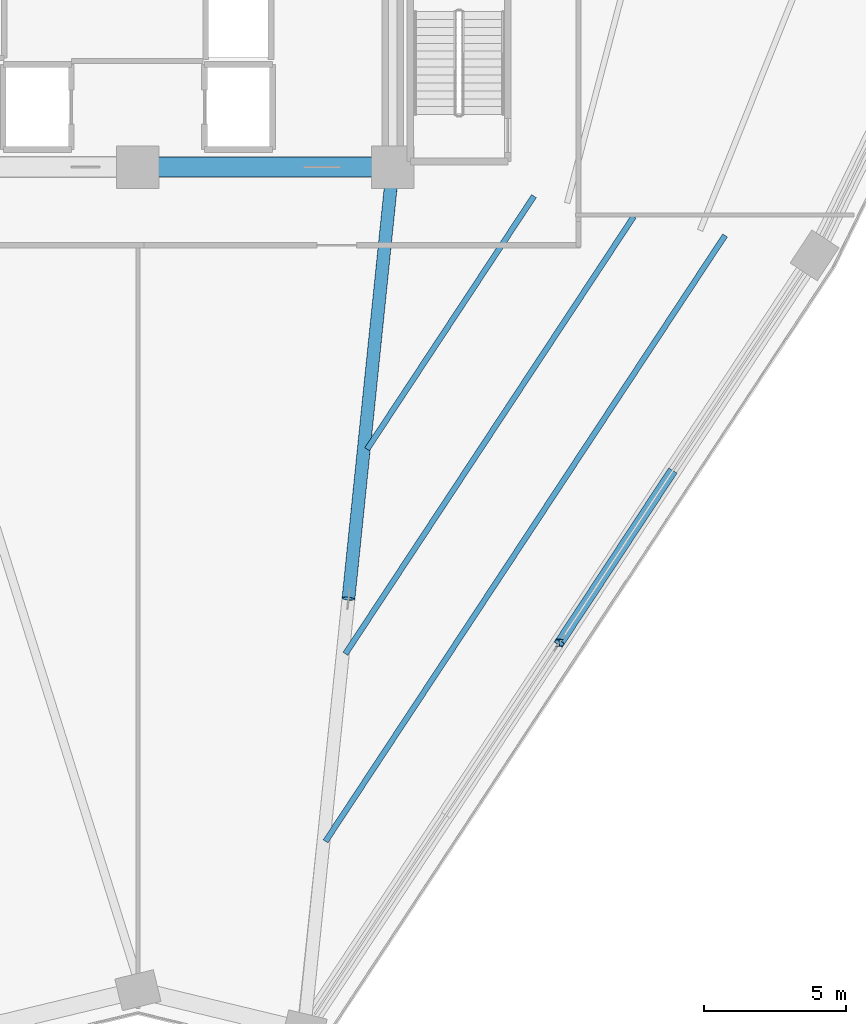
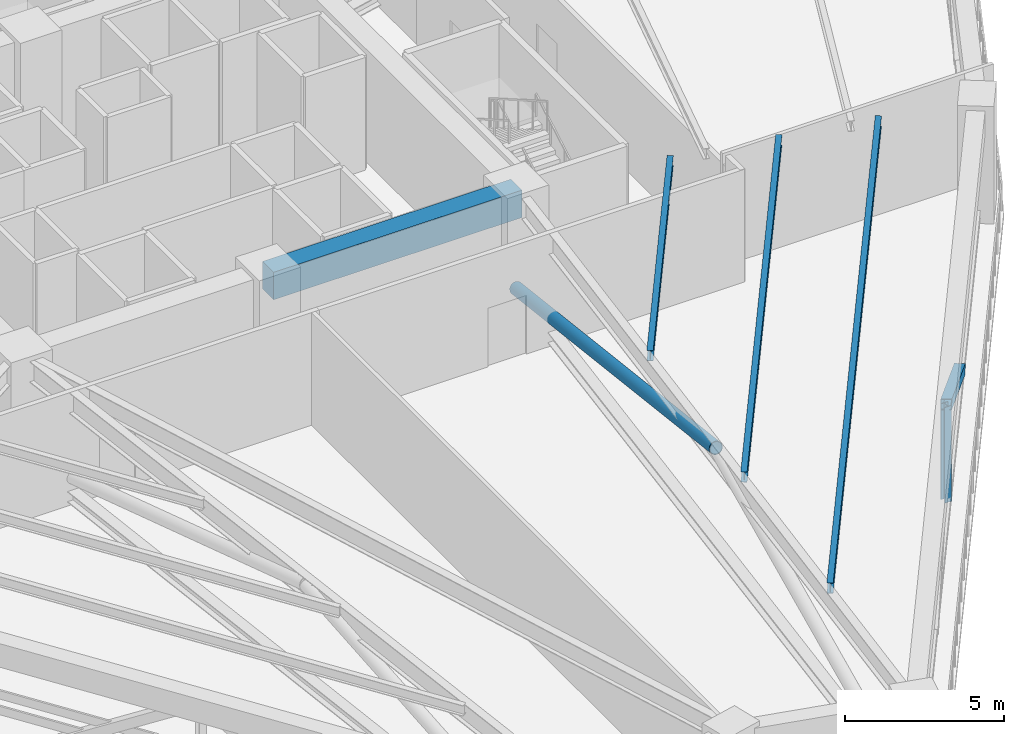
# One storey, part 4 of 23: 4 beams, 3 members.
"""IFC4 building model written with IfcOpenShell, lengths in metres."""

from ifc_helpers import new_model, si_unit, direction, frame, origin, origin_2d, place, context, subcontext, project, spatial, rectangle, hollow_rectangle, hollow_circle, i_section, extrude, source, transform, mapped, material, material_profile, profile_set, type_object, element, save


model = new_model("IFC4")

# Units and contexts
model_context = context("Model", 3, precision=1e-05, world=origin(), true_north=direction((0.0, 1.0)))
body_context = subcontext(model_context, "Body", "Model", "MODEL_VIEW")
ifc_project = project(units=[si_unit("LENGTHUNIT", "METRE"), si_unit("AREAUNIT", "SQUARE_METRE"), si_unit("VOLUMEUNIT", "CUBIC_METRE"), si_unit("PLANEANGLEUNIT", "RADIAN"), si_unit("MASSUNIT", "GRAM", prefix="KILO")], contexts=[model_context])

# Site, building, storey
site_placement = place(None, origin())
site = spatial("IfcSite", under=ifc_project, at=site_placement, CompositionType="ELEMENT")
building_placement = place(site_placement, origin())
building = spatial("IfcBuilding", under=site, at=building_placement, Name="Liaohun Quay Tower", CompositionType="ELEMENT")
storey_placement = place(building_placement, frame((0.0, 0.0, 139.5)))
storey = spatial("IfcBuildingStorey", under=building, at=storey_placement, Name="L36", CompositionType="ELEMENT", Elevation=139.5)

# Beam
ifc_material_1 = material(Name="Concrete C60", Category="concrete")
ifc_material_profile_1 = material_profile(ifc_material_1, rectangle(XDim=0.699951171875, YDim=1.050048828125, at=origin_2d()), Name="RC700x1050")
ifc_profile_set_1 = profile_set([ifc_material_profile_1], Name="Concrete C60")
beam_type_1 = type_object("IfcBeamType", Name="BM-CPL-1", PredefinedType="LINTEL", material=ifc_profile_set_1)
shared_shape_1 = source(origin(), body_context, "Body", "SweptSolid", [
    extrude(rectangle(XDim=0.699951171875, YDim=1.050048828125, at=origin_2d()), origin(), (0.0, 0.0, 1.0), 9.0),
])
beam_1_placement = place(storey_placement, frame((60.0, 46.5, 3.794921875), z_axis=(1.0, 0.0, 0.0), x_axis=(0.0, 1.0, 0.0)))
element("IfcBeam", 1, at=beam_1_placement, inside=storey, type_object=beam_type_1, Name="L36 Core Coupling/Ring Beam CC2-CC3", PredefinedType="LINTEL", context=body_context, shape_type="MappedRepresentation", body=[
    mapped(shared_shape_1, transform((0.0, 0.0, 0.0), x_axis=(1.0, 0.0, 0.0), y_axis=(0.0, 1.0, 0.0), z_axis=(0.0, 0.0, 1.0), scale=1.0)),
])

# Member
ifc_material_2 = material(Name="Steel Q355D", Category="steel")
ifc_material_profile_2 = material_profile(ifc_material_2, i_section(OverallWidth=0.25, OverallDepth=0.25, WebThickness=0.009033203125, FlangeThickness=0.013916015625, at=origin_2d()), Name="HW250x250x9x14")
ifc_profile_set_2 = profile_set([ifc_material_profile_2], Name="Steel Q355D")
member_type_1 = type_object("IfcMemberType", Name="MEM-BLT-PST", PredefinedType="POST", material=ifc_profile_set_2)
shared_shape_2 = source(origin(), body_context, "Body", "SweptSolid", [
    extrude(i_section(OverallWidth=0.25, OverallDepth=0.25, WebThickness=0.009033203125, FlangeThickness=0.013916015625, at=origin_2d()), origin(), (0.0, 0.0, 1.0), 3.669921875),
])
member_1_placement = place(storey_placement, frame((74.882080078125, 29.698974609375, 0.35009765625), z_axis=(0.0, 0.0, 1.0), x_axis=(1.0, 0.0, 0.0)))
element("IfcMember", 2, at=member_1_placement, inside=storey, type_object=member_type_1, Name="L36 Belt Truss Vertical Post BP-1-06", PredefinedType="POST", context=body_context, shape_type="MappedRepresentation", body=[
    mapped(shared_shape_2, transform((0.0, 0.0, 0.0), x_axis=(1.0, 0.0, 0.0), y_axis=(0.0, 1.0, 0.0), z_axis=(0.0, 0.0, 1.0), scale=1.0)),
])

# Beams
ifc_material_profile_3 = material_profile(ifc_material_2, i_section(OverallWidth=0.199951171875, OverallDepth=0.39990234375, WebThickness=0.008056640625, FlangeThickness=0.012939453125, at=origin_2d()), Name="HN400x200x8x13")
ifc_profile_set_3 = profile_set([ifc_material_profile_3], Name="Steel Q355D")
beam_type_2 = type_object("IfcBeamType", Name="BM-SEC-J2", PredefinedType="JOIST", material=ifc_profile_set_3)
shared_shape_3 = source(origin(), body_context, "Body", "SweptSolid", [
    extrude(i_section(OverallWidth=0.199951171875, OverallDepth=0.39990234375, WebThickness=0.008056640625, FlangeThickness=0.012939453125, at=origin_2d()), origin(), (0.0, 0.0, 1.0), 10.70361328125),
])
beam_2_placement = place(storey_placement, frame((73.986083984375, 45.47412109375, 4.1201171875), z_axis=(-0.550471643364, -0.834853861375, 0.0), x_axis=(0.834853861375, -0.550471643364, 0.0)))
element("IfcBeam", 3, at=beam_2_placement, inside=storey, type_object=beam_type_2, Name="L36 Wing Secondary Floor Joist SJ-12", PredefinedType="JOIST", context=body_context, shape_type="MappedRepresentation", body=[
    mapped(shared_shape_3, transform((0.0, 0.0, 0.0), x_axis=(1.0, 0.0, 0.0), y_axis=(0.0, 1.0, 0.0), z_axis=(0.0, 0.0, 1.0), scale=1.0)),
])
shared_shape_4 = source(origin(), body_context, "Body", "SweptSolid", [
    extrude(i_section(OverallWidth=0.199951171875, OverallDepth=0.39990234375, WebThickness=0.008056640625, FlangeThickness=0.012939453125, at=origin_2d()), origin(), (0.0, 0.0, 1.0), 18.48876953125),
])
beam_3_placement = place(storey_placement, frame((77.506103515625, 44.7490234375, 4.1201171875), z_axis=(-0.550506250045, -0.834831041985, 0.0), x_axis=(0.834831041985, -0.550506250045, 0.0)))
element("IfcBeam", 4, at=beam_3_placement, inside=storey, type_object=beam_type_2, Name="L36 Wing Secondary Floor Joist SJ-13", PredefinedType="JOIST", context=body_context, shape_type="MappedRepresentation", body=[
    mapped(shared_shape_4, transform((0.0, 0.0, 0.0), x_axis=(1.0, 0.0, 0.0), y_axis=(0.0, 1.0, 0.0), z_axis=(0.0, 0.0, 1.0), scale=1.0)),
])
shared_shape_5 = source(origin(), body_context, "Body", "SweptSolid", [
    extrude(i_section(OverallWidth=0.199951171875, OverallDepth=0.39990234375, WebThickness=0.008056640625, FlangeThickness=0.012939453125, at=origin_2d()), origin(), (0.0, 0.0, 1.0), 25.62548828125),
])
beam_4_placement = place(storey_placement, frame((80.73291015625, 44.0849609375, 4.1201171875), z_axis=(-0.550502643876, -0.834833419962, 0.0), x_axis=(0.834833419962, -0.550502643876, 0.0)))
element("IfcBeam", 5, at=beam_4_placement, inside=storey, type_object=beam_type_2, Name="L36 Wing Secondary Floor Joist SJ-14", PredefinedType="JOIST", context=body_context, shape_type="MappedRepresentation", body=[
    mapped(shared_shape_5, transform((0.0, 0.0, 0.0), x_axis=(1.0, 0.0, 0.0), y_axis=(0.0, 1.0, 0.0), z_axis=(0.0, 0.0, 1.0), scale=1.0)),
])

# Members
ifc_material_3 = material(Name="Steel Q420D", Category="steel")
ifc_material_profile_4 = material_profile(ifc_material_3, hollow_circle(Radius=0.228515625, WallThickness=0.02001953125, at=origin_2d()), Name="CHS457x20")
ifc_profile_set_4 = profile_set([ifc_material_profile_4], Name="Steel Q420D")
member_type_2 = type_object("IfcMemberType", Name="MEM-OUT-DG1", PredefinedType="BRACE", material=ifc_profile_set_4)
shared_shape_6 = source(origin(), body_context, "Body", "SweptSolid", [
    extrude(hollow_circle(Radius=0.228515625, WallThickness=0.02001953125, at=origin_2d()), origin(), (0.0, 0.0, 1.0), 15.75537109375),
])
member_2_placement = place(storey_placement, frame((69.0, 46.5, 0.35009765625), z_axis=(-0.099326988667, -0.967407680107, 0.232930311021), x_axis=(0.994770402421, -0.10213641107, 0.0)))
element("IfcMember", 6, at=member_2_placement, inside=storey, type_object=member_type_2, Name="L36 Outrigger Diagonal OD-06A", PredefinedType="BRACE", context=body_context, shape_type="MappedRepresentation", body=[
    mapped(shared_shape_6, transform((0.0, 0.0, 0.0), x_axis=(1.0, 0.0, 0.0), y_axis=(0.0, 1.0, 0.0), z_axis=(0.0, 0.0, 1.0), scale=1.0)),
])
ifc_material_profile_5 = material_profile(ifc_material_2, hollow_rectangle(XDim=0.35009765625, YDim=0.35009765625, WallThickness=0.01611328125, at=origin_2d()), Name="SHS350x350x16")
ifc_profile_set_5 = profile_set([ifc_material_profile_5], Name="Steel Q355D")
member_type_3 = type_object("IfcMemberType", Name="MEM-BLT-DG2", PredefinedType="BRACE", material=ifc_profile_set_5)
shared_shape_7 = source(origin(), body_context, "Body", "SweptSolid", [
    extrude(hollow_rectangle(XDim=0.35009765625, YDim=0.35009765625, WallThickness=0.01611328125, at=origin_2d()), origin(), (0.0, 0.0, 1.0), 8.088623046875),
])
member_3_placement = place(storey_placement, frame((78.847900390625, 35.718017578125, 0.35009765625), z_axis=(-0.490299421706, -0.744141956583, 0.453717120603), x_axis=(0.835039547751, -0.55018992511, 0.0)))
element("IfcMember", 7, at=member_3_placement, inside=storey, type_object=member_type_3, Name="L36 Belt Truss Diagonal BD-06A", PredefinedType="BRACE", context=body_context, shape_type="MappedRepresentation", body=[
    mapped(shared_shape_7, transform((0.0, 0.0, 0.0), x_axis=(1.0, 0.0, 0.0), y_axis=(0.0, 1.0, 0.0), z_axis=(0.0, 0.0, 1.0), scale=1.0)),
])

save(model, "model.ifc")
